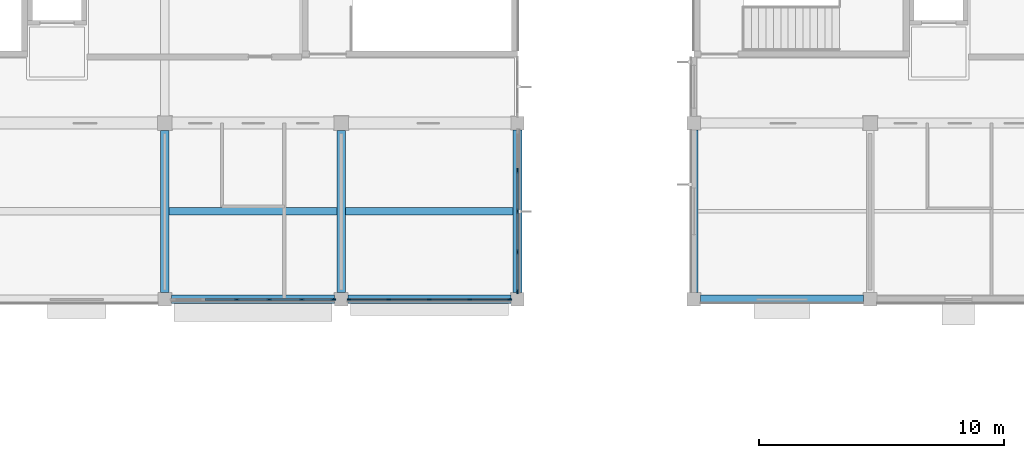
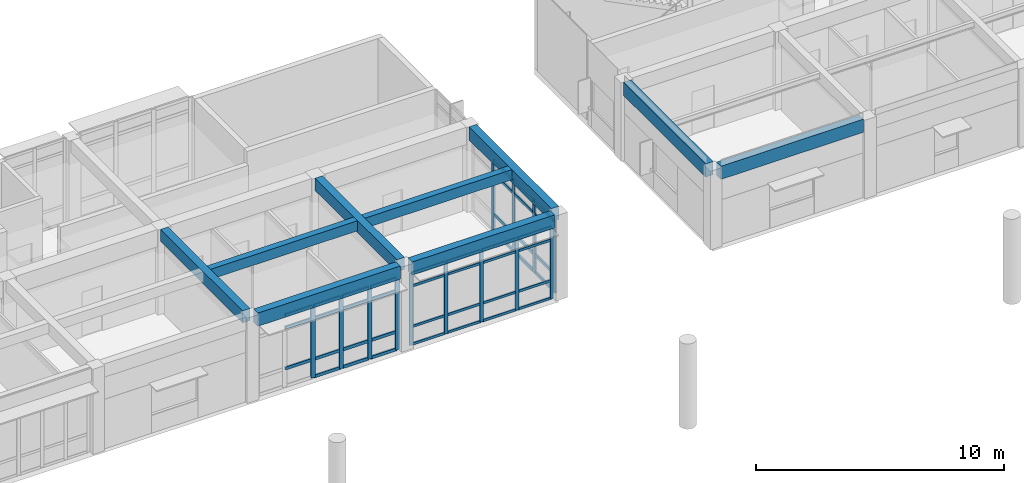
# One storey, part 4 of 41: 56 members, 9 beams, 3 elements without a shape of their own.
"""IFC4 building model written with IfcOpenShell, lengths in metres."""

from ifc_helpers import new_model, si_unit, direction, frame, origin, origin_2d, place, context, subcontext, project, spatial, rectangle, extrude, material, layer, layer_set, material_profile, profile_set, type_object, element, aggregate, save


model = new_model("IFC4")

# Units and contexts
model_context = context("Model", 3, precision=1e-05, world=origin(), true_north=direction((0.0, 1.0)))
body_context = subcontext(model_context, "Body", "Model", "MODEL_VIEW")
ifc_project = project(units=[si_unit("LENGTHUNIT", "METRE"), si_unit("AREAUNIT", "SQUARE_METRE"), si_unit("VOLUMEUNIT", "CUBIC_METRE"), si_unit("PLANEANGLEUNIT", "RADIAN"), si_unit("MASSUNIT", "GRAM", prefix="KILO")], contexts=[model_context])

# Site, building, storey
site_placement = place(None, origin())
site = spatial("IfcSite", under=ifc_project, at=site_placement, CompositionType="ELEMENT")
building_placement = place(site_placement, origin())
building = spatial("IfcBuilding", under=site, at=building_placement, Name="Namkhue Oval Health Centre", CompositionType="ELEMENT")
storey_placement = place(building_placement, frame((0.0, 0.0, 13.800048828125)))
storey = spatial("IfcBuildingStorey", under=building, at=storey_placement, Name="L03", CompositionType="ELEMENT", Elevation=13.800048828125)

# Curtain wall, members
ifc_material_1 = material(Name="Anodised aluminium EN AW-6063 T6", Category="aluminium")
ifc_layer_1 = layer(ifc_material_1, 0.159912109375)
ifc_layer_set_1 = layer_set([ifc_layer_1], Name="Anodised aluminium EN AW-6063 T6")
curtain_wall_type_1 = type_object("IfcCurtainWallType", Name="UNITISED CURTAIN WALL M1500", PredefinedType="NOTDEFINED", material=ifc_layer_set_1)
curtain_wall_1_placement = place(storey_placement, origin())
curtain_wall_1 = element("IfcCurtainWall", 1, at=curtain_wall_1_placement, inside=storey, type_object=curtain_wall_type_1, Name="Volume V4 L03 Unitised Curtain Wall 171", PredefinedType="NOTDEFINED")
ifc_material_profile_1 = material_profile(ifc_material_1, rectangle(XDim=0.06494140625, YDim=0.159912109375, at=origin_2d()), Name="ALU 65x160")
ifc_profile_set_1 = profile_set([ifc_material_profile_1], Name="Anodised aluminium EN AW-6063 T6")
member_type_1 = type_object("IfcMemberType", Name="CURTAIN WALL MULLION 65X160", PredefinedType="MULLION", material=ifc_profile_set_1)
member_1_placement = place(storey_placement, frame((79.5185546875, 14.39990234375, 0.0), z_axis=(0.0, 0.0, 1.0), x_axis=(0.0, 1.0, 0.0)))
member_1 = element("IfcMember", 2, at=member_1_placement, type_object=member_type_1, Name="CW-03 mullion 1", PredefinedType="MULLION", context=body_context, shape_type="SweptSolid", body=[
    extrude(rectangle(XDim=0.06494140625, YDim=0.159912109375, at=origin_2d()), origin(), (0.0, 0.0, 1.0), 3.550048828125),
])
member_2_placement = place(storey_placement, frame((81.14306640625, 14.39990234375, 0.0), z_axis=(0.0, 0.0, 1.0), x_axis=(0.0, 1.0, 0.0)))
member_2 = element("IfcMember", 3, at=member_2_placement, type_object=member_type_1, Name="CW-03 mullion 2", PredefinedType="MULLION", context=body_context, shape_type="SweptSolid", body=[
    extrude(rectangle(XDim=0.06494140625, YDim=0.159912109375, at=origin_2d()), origin(), (0.0, 0.0, 1.0), 3.550048828125),
])
member_3_placement = place(storey_placement, frame((82.800048828125, 14.39990234375, 0.0), z_axis=(0.0, 0.0, 1.0), x_axis=(0.0, 1.0, 0.0)))
member_3 = element("IfcMember", 4, at=member_3_placement, type_object=member_type_1, Name="CW-03 mullion 3", PredefinedType="MULLION", context=body_context, shape_type="SweptSolid", body=[
    extrude(rectangle(XDim=0.06494140625, YDim=0.159912109375, at=origin_2d()), origin(), (0.0, 0.0, 1.0), 3.550048828125),
])
member_4_placement = place(storey_placement, frame((84.45703125, 14.39990234375, 0.0), z_axis=(0.0, 0.0, 1.0), x_axis=(0.0, 1.0, 0.0)))
member_4 = element("IfcMember", 5, at=member_4_placement, type_object=member_type_1, Name="CW-03 mullion 4", PredefinedType="MULLION", context=body_context, shape_type="SweptSolid", body=[
    extrude(rectangle(XDim=0.06494140625, YDim=0.159912109375, at=origin_2d()), origin(), (0.0, 0.0, 1.0), 3.550048828125),
])
member_5_placement = place(storey_placement, frame((86.08154296875, 14.39990234375, 0.0), z_axis=(0.0, 0.0, 1.0), x_axis=(0.0, 1.0, 0.0)))
member_5 = element("IfcMember", 6, at=member_5_placement, type_object=member_type_1, Name="CW-03 mullion 5", PredefinedType="MULLION", context=body_context, shape_type="SweptSolid", body=[
    extrude(rectangle(XDim=0.06494140625, YDim=0.159912109375, at=origin_2d()), origin(), (0.0, 0.0, 1.0), 3.550048828125),
])

ifc_layer_2 = layer(ifc_material_1, 0.159912109375)
ifc_layer_set_2 = layer_set([ifc_layer_2], Name="Anodised aluminium EN AW-6063 T6")
curtain_wall_type_2 = type_object("IfcCurtainWallType", Name="UNITISED CURTAIN WALL M1350", PredefinedType="NOTDEFINED", material=ifc_layer_set_2)
curtain_wall_2_placement = place(storey_placement, origin())
curtain_wall_2 = element("IfcCurtainWall", 7, at=curtain_wall_2_placement, inside=storey, type_object=curtain_wall_type_2, Name="Volume V4 L03 Unitised Curtain Wall 170", PredefinedType="NOTDEFINED")
ifc_material_profile_2 = material_profile(ifc_material_1, rectangle(XDim=0.074951171875, YDim=0.199951171875, at=origin_2d()), Name="ALU 75x200")
ifc_profile_set_2 = profile_set([ifc_material_profile_2], Name="Anodised aluminium EN AW-6063 T6")
member_type_2 = type_object("IfcMemberType", Name="CURTAIN WALL MULLION 75X200", PredefinedType="MULLION", material=ifc_profile_set_2)
member_6_placement = place(storey_placement, frame((74.937255859375, 14.39990234375, 0.0), z_axis=(0.0, 0.0, 1.0), x_axis=(0.0, 1.0, 0.0)))
member_6 = element("IfcMember", 8, at=member_6_placement, type_object=member_type_2, Name="CW-02 mullion 3", PredefinedType="MULLION", context=body_context, shape_type="SweptSolid", body=[
    extrude(rectangle(XDim=0.074951171875, YDim=0.199951171875, at=origin_2d()), origin(), (0.0, 0.0, 1.0), 3.550048828125),
])
member_7_placement = place(storey_placement, frame((76.2626953125, 14.39990234375, 0.0), z_axis=(0.0, 0.0, 1.0), x_axis=(0.0, 1.0, 0.0)))
member_7 = element("IfcMember", 9, at=member_7_placement, type_object=member_type_2, Name="CW-02 mullion 4", PredefinedType="MULLION", context=body_context, shape_type="SweptSolid", body=[
    extrude(rectangle(XDim=0.074951171875, YDim=0.199951171875, at=origin_2d()), origin(), (0.0, 0.0, 1.0), 3.550048828125),
])
member_8_placement = place(storey_placement, frame((77.58837890625, 14.39990234375, 0.0), z_axis=(0.0, 0.0, 1.0), x_axis=(0.0, 1.0, 0.0)))
member_8 = element("IfcMember", 10, at=member_8_placement, type_object=member_type_2, Name="CW-02 mullion 5", PredefinedType="MULLION", context=body_context, shape_type="SweptSolid", body=[
    extrude(rectangle(XDim=0.074951171875, YDim=0.199951171875, at=origin_2d()), origin(), (0.0, 0.0, 1.0), 3.550048828125),
])
member_9_placement = place(storey_placement, frame((78.87646484375, 14.39990234375, 0.0), z_axis=(0.0, 0.0, 1.0), x_axis=(0.0, 1.0, 0.0)))
member_9 = element("IfcMember", 11, at=member_9_placement, type_object=member_type_2, Name="CW-02 mullion 6", PredefinedType="MULLION", context=body_context, shape_type="SweptSolid", body=[
    extrude(rectangle(XDim=0.074951171875, YDim=0.199951171875, at=origin_2d()), origin(), (0.0, 0.0, 1.0), 3.550048828125),
])

ifc_layer_3 = layer(ifc_material_1, 0.159912109375)
ifc_layer_set_3 = layer_set([ifc_layer_3], Name="Anodised aluminium EN AW-6063 T6")
curtain_wall_type_3 = type_object("IfcCurtainWallType", Name="UNITISED CURTAIN WALL M1600", PredefinedType="NOTDEFINED", material=ifc_layer_set_3)
curtain_wall_3_placement = place(storey_placement, origin())
curtain_wall_3 = element("IfcCurtainWall", 12, at=curtain_wall_3_placement, inside=storey, type_object=curtain_wall_type_3, Name="Volume V4 L03 Unitised Curtain Wall 172", PredefinedType="NOTDEFINED")
member_10_placement = place(storey_placement, frame((86.39990234375, 14.723388671875, 0.0), z_axis=(0.0, 0.0, 1.0), x_axis=(-1.0, 0.0, 0.0)))
member_10 = element("IfcMember", 13, at=member_10_placement, type_object=member_type_2, Name="CW-04 mullion 1", PredefinedType="MULLION", context=body_context, shape_type="SweptSolid", body=[
    extrude(rectangle(XDim=0.074951171875, YDim=0.199951171875, at=origin_2d()), origin(), (0.0, 0.0, 1.0), 3.550048828125),
])
member_11_placement = place(storey_placement, frame((86.39990234375, 16.343017578125, 0.0), z_axis=(0.0, 0.0, 1.0), x_axis=(-1.0, 0.0, 0.0)))
member_11 = element("IfcMember", 14, at=member_11_placement, type_object=member_type_2, Name="CW-04 mullion 2", PredefinedType="MULLION", context=body_context, shape_type="SweptSolid", body=[
    extrude(rectangle(XDim=0.074951171875, YDim=0.199951171875, at=origin_2d()), origin(), (0.0, 0.0, 1.0), 3.550048828125),
])
member_12_placement = place(storey_placement, frame((86.39990234375, 18.0, 0.0), z_axis=(0.0, 0.0, 1.0), x_axis=(-1.0, 0.0, 0.0)))
member_12 = element("IfcMember", 15, at=member_12_placement, type_object=member_type_2, Name="CW-04 mullion 3", PredefinedType="MULLION", context=body_context, shape_type="SweptSolid", body=[
    extrude(rectangle(XDim=0.074951171875, YDim=0.199951171875, at=origin_2d()), origin(), (0.0, 0.0, 1.0), 3.550048828125),
])
member_13_placement = place(storey_placement, frame((86.39990234375, 19.656982421875, 0.0), z_axis=(0.0, 0.0, 1.0), x_axis=(-1.0, 0.0, 0.0)))
member_13 = element("IfcMember", 16, at=member_13_placement, type_object=member_type_2, Name="CW-04 mullion 4", PredefinedType="MULLION", context=body_context, shape_type="SweptSolid", body=[
    extrude(rectangle(XDim=0.074951171875, YDim=0.199951171875, at=origin_2d()), origin(), (0.0, 0.0, 1.0), 3.550048828125),
])

# Member
ifc_material_profile_3 = material_profile(ifc_material_1, rectangle(XDim=0.06494140625, YDim=0.1201171875, at=origin_2d()), Name="ALU 65x120")
ifc_profile_set_3 = profile_set([ifc_material_profile_3], Name="Anodised aluminium EN AW-6063 T6")
member_type_3 = type_object("IfcMemberType", Name="CURTAIN WALL TRANSOM 65X120", PredefinedType="USERDEFINED", material=ifc_profile_set_3)
member_14_placement = place(storey_placement, frame((79.551025390625, 14.39990234375, 0.032470703125), z_axis=(1.0, 0.0, 0.0), x_axis=(0.0, 1.0, 0.0)))
member_14 = element("IfcMember", 17, at=member_14_placement, type_object=member_type_3, Name="CW-03 transom 1.1", ObjectType="TRANSOM", PredefinedType="USERDEFINED", context=body_context, shape_type="SweptSolid", body=[
    extrude(rectangle(XDim=0.06494140625, YDim=0.1201171875, at=origin_2d()), origin(), (0.0, 0.0, 1.0), 1.5595703125),
])

member_15_placement = place(storey_placement, frame((79.551025390625, 14.39990234375, 0.89990234375), z_axis=(1.0, 0.0, 0.0), x_axis=(0.0, 1.0, 0.0)))
member_15 = element("IfcMember", 18, at=member_15_placement, type_object=member_type_3, Name="CW-03 transom 1.2", ObjectType="TRANSOM", PredefinedType="USERDEFINED", context=body_context, shape_type="SweptSolid", body=[
    extrude(rectangle(XDim=0.06494140625, YDim=0.1201171875, at=origin_2d()), origin(), (0.0, 0.0, 1.0), 1.5595703125),
])

member_16_placement = place(storey_placement, frame((79.551025390625, 14.39990234375, 2.89990234375), z_axis=(1.0, 0.0, 0.0), x_axis=(0.0, 1.0, 0.0)))
member_16 = element("IfcMember", 19, at=member_16_placement, type_object=member_type_3, Name="CW-03 transom 1.3", ObjectType="TRANSOM", PredefinedType="USERDEFINED", context=body_context, shape_type="SweptSolid", body=[
    extrude(rectangle(XDim=0.06494140625, YDim=0.1201171875, at=origin_2d()), origin(), (0.0, 0.0, 1.0), 1.5595703125),
])

member_17_placement = place(storey_placement, frame((79.551025390625, 14.39990234375, 3.517333984375), z_axis=(1.0, 0.0, 0.0), x_axis=(0.0, 1.0, 0.0)))
member_17 = element("IfcMember", 20, at=member_17_placement, type_object=member_type_3, Name="CW-03 transom 1.4", ObjectType="TRANSOM", PredefinedType="USERDEFINED", context=body_context, shape_type="SweptSolid", body=[
    extrude(rectangle(XDim=0.06494140625, YDim=0.1201171875, at=origin_2d()), origin(), (0.0, 0.0, 1.0), 1.5595703125),
])

member_18_placement = place(storey_placement, frame((81.175537109375, 14.39990234375, 0.032470703125), z_axis=(1.0, 0.0, 0.0), x_axis=(0.0, 1.0, 0.0)))
member_18 = element("IfcMember", 21, at=member_18_placement, type_object=member_type_3, Name="CW-03 transom 2.1", ObjectType="TRANSOM", PredefinedType="USERDEFINED", context=body_context, shape_type="SweptSolid", body=[
    extrude(rectangle(XDim=0.06494140625, YDim=0.1201171875, at=origin_2d()), origin(), (0.0, 0.0, 1.0), 1.592041015625),
])

member_19_placement = place(storey_placement, frame((81.175537109375, 14.39990234375, 0.89990234375), z_axis=(1.0, 0.0, 0.0), x_axis=(0.0, 1.0, 0.0)))
member_19 = element("IfcMember", 22, at=member_19_placement, type_object=member_type_3, Name="CW-03 transom 2.2", ObjectType="TRANSOM", PredefinedType="USERDEFINED", context=body_context, shape_type="SweptSolid", body=[
    extrude(rectangle(XDim=0.06494140625, YDim=0.1201171875, at=origin_2d()), origin(), (0.0, 0.0, 1.0), 1.592041015625),
])

member_20_placement = place(storey_placement, frame((81.175537109375, 14.39990234375, 2.89990234375), z_axis=(1.0, 0.0, 0.0), x_axis=(0.0, 1.0, 0.0)))
member_20 = element("IfcMember", 23, at=member_20_placement, type_object=member_type_3, Name="CW-03 transom 2.3", ObjectType="TRANSOM", PredefinedType="USERDEFINED", context=body_context, shape_type="SweptSolid", body=[
    extrude(rectangle(XDim=0.06494140625, YDim=0.1201171875, at=origin_2d()), origin(), (0.0, 0.0, 1.0), 1.592041015625),
])

member_21_placement = place(storey_placement, frame((81.175537109375, 14.39990234375, 3.517333984375), z_axis=(1.0, 0.0, 0.0), x_axis=(0.0, 1.0, 0.0)))
member_21 = element("IfcMember", 24, at=member_21_placement, type_object=member_type_3, Name="CW-03 transom 2.4", ObjectType="TRANSOM", PredefinedType="USERDEFINED", context=body_context, shape_type="SweptSolid", body=[
    extrude(rectangle(XDim=0.06494140625, YDim=0.1201171875, at=origin_2d()), origin(), (0.0, 0.0, 1.0), 1.592041015625),
])

member_22_placement = place(storey_placement, frame((82.83251953125, 14.39990234375, 0.032470703125), z_axis=(1.0, 0.0, 0.0), x_axis=(0.0, 1.0, 0.0)))
member_22 = element("IfcMember", 25, at=member_22_placement, type_object=member_type_3, Name="CW-03 transom 3.1", ObjectType="TRANSOM", PredefinedType="USERDEFINED", context=body_context, shape_type="SweptSolid", body=[
    extrude(rectangle(XDim=0.06494140625, YDim=0.1201171875, at=origin_2d()), origin(), (0.0, 0.0, 1.0), 1.592041015625),
])

member_23_placement = place(storey_placement, frame((82.83251953125, 14.39990234375, 0.89990234375), z_axis=(1.0, 0.0, 0.0), x_axis=(0.0, 1.0, 0.0)))
member_23 = element("IfcMember", 26, at=member_23_placement, type_object=member_type_3, Name="CW-03 transom 3.2", ObjectType="TRANSOM", PredefinedType="USERDEFINED", context=body_context, shape_type="SweptSolid", body=[
    extrude(rectangle(XDim=0.06494140625, YDim=0.1201171875, at=origin_2d()), origin(), (0.0, 0.0, 1.0), 1.592041015625),
])

member_24_placement = place(storey_placement, frame((82.83251953125, 14.39990234375, 2.89990234375), z_axis=(1.0, 0.0, 0.0), x_axis=(0.0, 1.0, 0.0)))
member_24 = element("IfcMember", 27, at=member_24_placement, type_object=member_type_3, Name="CW-03 transom 3.3", ObjectType="TRANSOM", PredefinedType="USERDEFINED", context=body_context, shape_type="SweptSolid", body=[
    extrude(rectangle(XDim=0.06494140625, YDim=0.1201171875, at=origin_2d()), origin(), (0.0, 0.0, 1.0), 1.592041015625),
])

member_25_placement = place(storey_placement, frame((82.83251953125, 14.39990234375, 3.517333984375), z_axis=(1.0, 0.0, 0.0), x_axis=(0.0, 1.0, 0.0)))
member_25 = element("IfcMember", 28, at=member_25_placement, type_object=member_type_3, Name="CW-03 transom 3.4", ObjectType="TRANSOM", PredefinedType="USERDEFINED", context=body_context, shape_type="SweptSolid", body=[
    extrude(rectangle(XDim=0.06494140625, YDim=0.1201171875, at=origin_2d()), origin(), (0.0, 0.0, 1.0), 1.592041015625),
])

member_26_placement = place(storey_placement, frame((84.489501953125, 14.39990234375, 0.032470703125), z_axis=(1.0, 0.0, 0.0), x_axis=(0.0, 1.0, 0.0)))
member_26 = element("IfcMember", 29, at=member_26_placement, type_object=member_type_3, Name="CW-03 transom 4.1", ObjectType="TRANSOM", PredefinedType="USERDEFINED", context=body_context, shape_type="SweptSolid", body=[
    extrude(rectangle(XDim=0.06494140625, YDim=0.1201171875, at=origin_2d()), origin(), (0.0, 0.0, 1.0), 1.5595703125),
])

member_27_placement = place(storey_placement, frame((84.489501953125, 14.39990234375, 0.89990234375), z_axis=(1.0, 0.0, 0.0), x_axis=(0.0, 1.0, 0.0)))
member_27 = element("IfcMember", 30, at=member_27_placement, type_object=member_type_3, Name="CW-03 transom 4.2", ObjectType="TRANSOM", PredefinedType="USERDEFINED", context=body_context, shape_type="SweptSolid", body=[
    extrude(rectangle(XDim=0.06494140625, YDim=0.1201171875, at=origin_2d()), origin(), (0.0, 0.0, 1.0), 1.5595703125),
])

member_28_placement = place(storey_placement, frame((84.489501953125, 14.39990234375, 2.89990234375), z_axis=(1.0, 0.0, 0.0), x_axis=(0.0, 1.0, 0.0)))
member_28 = element("IfcMember", 31, at=member_28_placement, type_object=member_type_3, Name="CW-03 transom 4.3", ObjectType="TRANSOM", PredefinedType="USERDEFINED", context=body_context, shape_type="SweptSolid", body=[
    extrude(rectangle(XDim=0.06494140625, YDim=0.1201171875, at=origin_2d()), origin(), (0.0, 0.0, 1.0), 1.5595703125),
])

member_29_placement = place(storey_placement, frame((84.489501953125, 14.39990234375, 3.517333984375), z_axis=(1.0, 0.0, 0.0), x_axis=(0.0, 1.0, 0.0)))
member_29 = element("IfcMember", 32, at=member_29_placement, type_object=member_type_3, Name="CW-03 transom 4.4", ObjectType="TRANSOM", PredefinedType="USERDEFINED", context=body_context, shape_type="SweptSolid", body=[
    extrude(rectangle(XDim=0.06494140625, YDim=0.1201171875, at=origin_2d()), origin(), (0.0, 0.0, 1.0), 1.5595703125),
])

aggregate(curtain_wall_1, [member_1, member_2, member_3, member_4, member_5, member_14, member_15, member_16, member_17, member_18, member_19, member_20, member_21, member_22, member_23, member_24, member_25, member_26, member_27, member_28, member_29])

ifc_material_profile_4 = material_profile(ifc_material_1, rectangle(XDim=0.074951171875, YDim=0.14990234375, at=origin_2d()), Name="ALU 75x150")
ifc_profile_set_4 = profile_set([ifc_material_profile_4], Name="Anodised aluminium EN AW-6063 T6")
member_type_4 = type_object("IfcMemberType", Name="CURTAIN WALL TRANSOM 75X150", PredefinedType="USERDEFINED", material=ifc_profile_set_4)
member_30_placement = place(storey_placement, frame((73.649169921875, 14.39990234375, 0.89990234375), z_axis=(1.0, 0.0, 0.0), x_axis=(0.0, 1.0, 0.0)))
member_30 = element("IfcMember", 33, at=member_30_placement, type_object=member_type_4, Name="CW-02 transom 2.2", ObjectType="TRANSOM", PredefinedType="USERDEFINED", context=body_context, shape_type="SweptSolid", body=[
    extrude(rectangle(XDim=0.074951171875, YDim=0.14990234375, at=origin_2d()), origin(), (0.0, 0.0, 1.0), 1.25048828125),
])

member_31_placement = place(storey_placement, frame((73.649169921875, 14.39990234375, 2.89990234375), z_axis=(1.0, 0.0, 0.0), x_axis=(0.0, 1.0, 0.0)))
member_31 = element("IfcMember", 34, at=member_31_placement, type_object=member_type_4, Name="CW-02 transom 2.3", ObjectType="TRANSOM", PredefinedType="USERDEFINED", context=body_context, shape_type="SweptSolid", body=[
    extrude(rectangle(XDim=0.074951171875, YDim=0.14990234375, at=origin_2d()), origin(), (0.0, 0.0, 1.0), 1.25048828125),
])

member_32_placement = place(storey_placement, frame((73.649169921875, 14.39990234375, 3.512451171875), z_axis=(1.0, 0.0, 0.0), x_axis=(0.0, 1.0, 0.0)))
member_32 = element("IfcMember", 35, at=member_32_placement, type_object=member_type_4, Name="CW-02 transom 2.4", ObjectType="TRANSOM", PredefinedType="USERDEFINED", context=body_context, shape_type="SweptSolid", body=[
    extrude(rectangle(XDim=0.074951171875, YDim=0.14990234375, at=origin_2d()), origin(), (0.0, 0.0, 1.0), 1.25048828125),
])

member_33_placement = place(storey_placement, frame((74.974609375, 14.39990234375, 0.037353515625), z_axis=(1.0, 0.0, 0.0), x_axis=(0.0, 1.0, 0.0)))
member_33 = element("IfcMember", 36, at=member_33_placement, type_object=member_type_4, Name="CW-02 transom 3.1", ObjectType="TRANSOM", PredefinedType="USERDEFINED", context=body_context, shape_type="SweptSolid", body=[
    extrude(rectangle(XDim=0.074951171875, YDim=0.14990234375, at=origin_2d()), origin(), (0.0, 0.0, 1.0), 1.250732421875),
])

member_34_placement = place(storey_placement, frame((74.974609375, 14.39990234375, 0.89990234375), z_axis=(1.0, 0.0, 0.0), x_axis=(0.0, 1.0, 0.0)))
member_34 = element("IfcMember", 37, at=member_34_placement, type_object=member_type_4, Name="CW-02 transom 3.2", ObjectType="TRANSOM", PredefinedType="USERDEFINED", context=body_context, shape_type="SweptSolid", body=[
    extrude(rectangle(XDim=0.074951171875, YDim=0.14990234375, at=origin_2d()), origin(), (0.0, 0.0, 1.0), 1.250732421875),
])

member_35_placement = place(storey_placement, frame((74.974609375, 14.39990234375, 2.89990234375), z_axis=(1.0, 0.0, 0.0), x_axis=(0.0, 1.0, 0.0)))
member_35 = element("IfcMember", 38, at=member_35_placement, type_object=member_type_4, Name="CW-02 transom 3.3", ObjectType="TRANSOM", PredefinedType="USERDEFINED", context=body_context, shape_type="SweptSolid", body=[
    extrude(rectangle(XDim=0.074951171875, YDim=0.14990234375, at=origin_2d()), origin(), (0.0, 0.0, 1.0), 1.250732421875),
])

member_36_placement = place(storey_placement, frame((74.974609375, 14.39990234375, 3.512451171875), z_axis=(1.0, 0.0, 0.0), x_axis=(0.0, 1.0, 0.0)))
member_36 = element("IfcMember", 39, at=member_36_placement, type_object=member_type_4, Name="CW-02 transom 3.4", ObjectType="TRANSOM", PredefinedType="USERDEFINED", context=body_context, shape_type="SweptSolid", body=[
    extrude(rectangle(XDim=0.074951171875, YDim=0.14990234375, at=origin_2d()), origin(), (0.0, 0.0, 1.0), 1.250732421875),
])

member_37_placement = place(storey_placement, frame((76.30029296875, 14.39990234375, 0.037353515625), z_axis=(1.0, 0.0, 0.0), x_axis=(0.0, 1.0, 0.0)))
member_37 = element("IfcMember", 40, at=member_37_placement, type_object=member_type_4, Name="CW-02 transom 4.1", ObjectType="TRANSOM", PredefinedType="USERDEFINED", context=body_context, shape_type="SweptSolid", body=[
    extrude(rectangle(XDim=0.074951171875, YDim=0.14990234375, at=origin_2d()), origin(), (0.0, 0.0, 1.0), 1.25048828125),
])

member_38_placement = place(storey_placement, frame((76.30029296875, 14.39990234375, 0.89990234375), z_axis=(1.0, 0.0, 0.0), x_axis=(0.0, 1.0, 0.0)))
member_38 = element("IfcMember", 41, at=member_38_placement, type_object=member_type_4, Name="CW-02 transom 4.2", ObjectType="TRANSOM", PredefinedType="USERDEFINED", context=body_context, shape_type="SweptSolid", body=[
    extrude(rectangle(XDim=0.074951171875, YDim=0.14990234375, at=origin_2d()), origin(), (0.0, 0.0, 1.0), 1.25048828125),
])

member_39_placement = place(storey_placement, frame((76.30029296875, 14.39990234375, 2.89990234375), z_axis=(1.0, 0.0, 0.0), x_axis=(0.0, 1.0, 0.0)))
member_39 = element("IfcMember", 42, at=member_39_placement, type_object=member_type_4, Name="CW-02 transom 4.3", ObjectType="TRANSOM", PredefinedType="USERDEFINED", context=body_context, shape_type="SweptSolid", body=[
    extrude(rectangle(XDim=0.074951171875, YDim=0.14990234375, at=origin_2d()), origin(), (0.0, 0.0, 1.0), 1.25048828125),
])

member_40_placement = place(storey_placement, frame((76.30029296875, 14.39990234375, 3.512451171875), z_axis=(1.0, 0.0, 0.0), x_axis=(0.0, 1.0, 0.0)))
member_40 = element("IfcMember", 43, at=member_40_placement, type_object=member_type_4, Name="CW-02 transom 4.4", ObjectType="TRANSOM", PredefinedType="USERDEFINED", context=body_context, shape_type="SweptSolid", body=[
    extrude(rectangle(XDim=0.074951171875, YDim=0.14990234375, at=origin_2d()), origin(), (0.0, 0.0, 1.0), 1.25048828125),
])

member_41_placement = place(storey_placement, frame((77.6259765625, 14.39990234375, 0.037353515625), z_axis=(1.0, 0.0, 0.0), x_axis=(0.0, 1.0, 0.0)))
member_41 = element("IfcMember", 44, at=member_41_placement, type_object=member_type_4, Name="CW-02 transom 5.1", ObjectType="TRANSOM", PredefinedType="USERDEFINED", context=body_context, shape_type="SweptSolid", body=[
    extrude(rectangle(XDim=0.074951171875, YDim=0.14990234375, at=origin_2d()), origin(), (0.0, 0.0, 1.0), 1.213134765625),
])

member_42_placement = place(storey_placement, frame((77.6259765625, 14.39990234375, 0.89990234375), z_axis=(1.0, 0.0, 0.0), x_axis=(0.0, 1.0, 0.0)))
member_42 = element("IfcMember", 45, at=member_42_placement, type_object=member_type_4, Name="CW-02 transom 5.2", ObjectType="TRANSOM", PredefinedType="USERDEFINED", context=body_context, shape_type="SweptSolid", body=[
    extrude(rectangle(XDim=0.074951171875, YDim=0.14990234375, at=origin_2d()), origin(), (0.0, 0.0, 1.0), 1.213134765625),
])

member_43_placement = place(storey_placement, frame((77.6259765625, 14.39990234375, 2.89990234375), z_axis=(1.0, 0.0, 0.0), x_axis=(0.0, 1.0, 0.0)))
member_43 = element("IfcMember", 46, at=member_43_placement, type_object=member_type_4, Name="CW-02 transom 5.3", ObjectType="TRANSOM", PredefinedType="USERDEFINED", context=body_context, shape_type="SweptSolid", body=[
    extrude(rectangle(XDim=0.074951171875, YDim=0.14990234375, at=origin_2d()), origin(), (0.0, 0.0, 1.0), 1.213134765625),
])

member_44_placement = place(storey_placement, frame((77.6259765625, 14.39990234375, 3.512451171875), z_axis=(1.0, 0.0, 0.0), x_axis=(0.0, 1.0, 0.0)))
member_44 = element("IfcMember", 47, at=member_44_placement, type_object=member_type_4, Name="CW-02 transom 5.4", ObjectType="TRANSOM", PredefinedType="USERDEFINED", context=body_context, shape_type="SweptSolid", body=[
    extrude(rectangle(XDim=0.074951171875, YDim=0.14990234375, at=origin_2d()), origin(), (0.0, 0.0, 1.0), 1.213134765625),
])

aggregate(curtain_wall_2, [member_6, member_7, member_8, member_9, member_30, member_31, member_32, member_33, member_34, member_35, member_36, member_37, member_38, member_39, member_40, member_41, member_42, member_43, member_44])

member_45_placement = place(storey_placement, frame((86.39990234375, 14.760986328125, 0.037353515625), z_axis=(0.0, 1.0, 0.0), x_axis=(-1.0, 0.0, 0.0)))
member_45 = element("IfcMember", 48, at=member_45_placement, type_object=member_type_4, Name="CW-04 transom 1.1", ObjectType="TRANSOM", PredefinedType="USERDEFINED", context=body_context, shape_type="SweptSolid", body=[
    extrude(rectangle(XDim=0.074951171875, YDim=0.14990234375, at=origin_2d()), origin(), (0.0, 0.0, 1.0), 1.54443359375),
])

member_46_placement = place(storey_placement, frame((86.39990234375, 14.760986328125, 0.89990234375), z_axis=(0.0, 1.0, 0.0), x_axis=(-1.0, 0.0, 0.0)))
member_46 = element("IfcMember", 49, at=member_46_placement, type_object=member_type_4, Name="CW-04 transom 1.2", ObjectType="TRANSOM", PredefinedType="USERDEFINED", context=body_context, shape_type="SweptSolid", body=[
    extrude(rectangle(XDim=0.074951171875, YDim=0.14990234375, at=origin_2d()), origin(), (0.0, 0.0, 1.0), 1.54443359375),
])

member_47_placement = place(storey_placement, frame((86.39990234375, 14.760986328125, 2.89990234375), z_axis=(0.0, 1.0, 0.0), x_axis=(-1.0, 0.0, 0.0)))
member_47 = element("IfcMember", 50, at=member_47_placement, type_object=member_type_4, Name="CW-04 transom 1.3", ObjectType="TRANSOM", PredefinedType="USERDEFINED", context=body_context, shape_type="SweptSolid", body=[
    extrude(rectangle(XDim=0.074951171875, YDim=0.14990234375, at=origin_2d()), origin(), (0.0, 0.0, 1.0), 1.54443359375),
])

member_48_placement = place(storey_placement, frame((86.39990234375, 14.760986328125, 3.512451171875), z_axis=(0.0, 1.0, 0.0), x_axis=(-1.0, 0.0, 0.0)))
member_48 = element("IfcMember", 51, at=member_48_placement, type_object=member_type_4, Name="CW-04 transom 1.4", ObjectType="TRANSOM", PredefinedType="USERDEFINED", context=body_context, shape_type="SweptSolid", body=[
    extrude(rectangle(XDim=0.074951171875, YDim=0.14990234375, at=origin_2d()), origin(), (0.0, 0.0, 1.0), 1.54443359375),
])

member_49_placement = place(storey_placement, frame((86.39990234375, 16.380615234375, 0.037353515625), z_axis=(0.0, 1.0, 0.0), x_axis=(-1.0, 0.0, 0.0)))
member_49 = element("IfcMember", 52, at=member_49_placement, type_object=member_type_4, Name="CW-04 transom 2.1", ObjectType="TRANSOM", PredefinedType="USERDEFINED", context=body_context, shape_type="SweptSolid", body=[
    extrude(rectangle(XDim=0.074951171875, YDim=0.14990234375, at=origin_2d()), origin(), (0.0, 0.0, 1.0), 1.581787109375),
])

member_50_placement = place(storey_placement, frame((86.39990234375, 16.380615234375, 0.89990234375), z_axis=(0.0, 1.0, 0.0), x_axis=(-1.0, 0.0, 0.0)))
member_50 = element("IfcMember", 53, at=member_50_placement, type_object=member_type_4, Name="CW-04 transom 2.2", ObjectType="TRANSOM", PredefinedType="USERDEFINED", context=body_context, shape_type="SweptSolid", body=[
    extrude(rectangle(XDim=0.074951171875, YDim=0.14990234375, at=origin_2d()), origin(), (0.0, 0.0, 1.0), 1.581787109375),
])

member_51_placement = place(storey_placement, frame((86.39990234375, 16.380615234375, 2.89990234375), z_axis=(0.0, 1.0, 0.0), x_axis=(-1.0, 0.0, 0.0)))
member_51 = element("IfcMember", 54, at=member_51_placement, type_object=member_type_4, Name="CW-04 transom 2.3", ObjectType="TRANSOM", PredefinedType="USERDEFINED", context=body_context, shape_type="SweptSolid", body=[
    extrude(rectangle(XDim=0.074951171875, YDim=0.14990234375, at=origin_2d()), origin(), (0.0, 0.0, 1.0), 1.581787109375),
])

member_52_placement = place(storey_placement, frame((86.39990234375, 16.380615234375, 3.512451171875), z_axis=(0.0, 1.0, 0.0), x_axis=(-1.0, 0.0, 0.0)))
member_52 = element("IfcMember", 55, at=member_52_placement, type_object=member_type_4, Name="CW-04 transom 2.4", ObjectType="TRANSOM", PredefinedType="USERDEFINED", context=body_context, shape_type="SweptSolid", body=[
    extrude(rectangle(XDim=0.074951171875, YDim=0.14990234375, at=origin_2d()), origin(), (0.0, 0.0, 1.0), 1.581787109375),
])

member_53_placement = place(storey_placement, frame((86.39990234375, 18.03759765625, 0.037353515625), z_axis=(0.0, 1.0, 0.0), x_axis=(-1.0, 0.0, 0.0)))
member_53 = element("IfcMember", 56, at=member_53_placement, type_object=member_type_4, Name="CW-04 transom 3.1", ObjectType="TRANSOM", PredefinedType="USERDEFINED", context=body_context, shape_type="SweptSolid", body=[
    extrude(rectangle(XDim=0.074951171875, YDim=0.14990234375, at=origin_2d()), origin(), (0.0, 0.0, 1.0), 1.581787109375),
])

member_54_placement = place(storey_placement, frame((86.39990234375, 18.03759765625, 0.89990234375), z_axis=(0.0, 1.0, 0.0), x_axis=(-1.0, 0.0, 0.0)))
member_54 = element("IfcMember", 57, at=member_54_placement, type_object=member_type_4, Name="CW-04 transom 3.2", ObjectType="TRANSOM", PredefinedType="USERDEFINED", context=body_context, shape_type="SweptSolid", body=[
    extrude(rectangle(XDim=0.074951171875, YDim=0.14990234375, at=origin_2d()), origin(), (0.0, 0.0, 1.0), 1.581787109375),
])

member_55_placement = place(storey_placement, frame((86.39990234375, 18.03759765625, 2.89990234375), z_axis=(0.0, 1.0, 0.0), x_axis=(-1.0, 0.0, 0.0)))
member_55 = element("IfcMember", 58, at=member_55_placement, type_object=member_type_4, Name="CW-04 transom 3.3", ObjectType="TRANSOM", PredefinedType="USERDEFINED", context=body_context, shape_type="SweptSolid", body=[
    extrude(rectangle(XDim=0.074951171875, YDim=0.14990234375, at=origin_2d()), origin(), (0.0, 0.0, 1.0), 1.581787109375),
])

member_56_placement = place(storey_placement, frame((86.39990234375, 18.03759765625, 3.512451171875), z_axis=(0.0, 1.0, 0.0), x_axis=(-1.0, 0.0, 0.0)))
member_56 = element("IfcMember", 59, at=member_56_placement, type_object=member_type_4, Name="CW-04 transom 3.4", ObjectType="TRANSOM", PredefinedType="USERDEFINED", context=body_context, shape_type="SweptSolid", body=[
    extrude(rectangle(XDim=0.074951171875, YDim=0.14990234375, at=origin_2d()), origin(), (0.0, 0.0, 1.0), 1.581787109375),
])

aggregate(curtain_wall_3, [member_10, member_11, member_12, member_13, member_45, member_46, member_47, member_48, member_49, member_50, member_51, member_52, member_53, member_54, member_55, member_56])

# Beams
ifc_material_2 = material(Name="Reinforced concrete C30/37 (TCVN B35)", Category="concrete")
ifc_material_profile_5 = material_profile(ifc_material_2, rectangle(XDim=0.35009765625, YDim=0.60009765625, at=origin_2d()), Name="RC 350x600")
ifc_profile_set_5 = profile_set([ifc_material_profile_5], Name="Reinforced concrete C30/37 (TCVN B35)")
beam_type_1 = type_object("IfcBeamType", Name="FLOOR BEAM RC 350X600", PredefinedType="BEAM", material=ifc_profile_set_5)
for number, where, z_axis, x_axis, name in (
    (60, (72.0, 14.675048828125, 3.89990234375), (0.0, 1.0, 0.0), (-1.0, 0.0, 0.0), "Volume V4 L04 Beam 11/C-D"),
    (61, (79.199951171875, 14.675048828125, 3.89990234375), (0.0, 1.0, 0.0), (-1.0, 0.0, 0.0), "Volume V4 L04 Beam 12/C-D"),
):
    element("IfcBeam", number, at=place(storey_placement, frame(where, z_axis=z_axis, x_axis=x_axis)), inside=storey, type_object=beam_type_1, Name=name, PredefinedType="BEAM", context=body_context, shape_type="SweptSolid", body=[
        extrude(rectangle(XDim=0.35009765625, YDim=0.60009765625, at=origin_2d()), origin(), (0.0, 0.0, 1.0), 6.625),
    ])
ifc_material_3 = material(Name="Reinforced concrete C35/45 (TCVN B40)", Category="concrete")
ifc_material_profile_6 = material_profile(ifc_material_3, rectangle(XDim=0.35009765625, YDim=0.64990234375, at=origin_2d()), Name="RC 350x650")
ifc_profile_set_6 = profile_set([ifc_material_profile_6], Name="Reinforced concrete C35/45 (TCVN B40)")
beam_type_2 = type_object("IfcBeamType", Name="PERIMETER SPANDREL BEAM 350X650", PredefinedType="SPANDREL", material=ifc_profile_set_6)
beam_1_placement = place(storey_placement, frame((72.27490234375, 14.39990234375, 3.875), z_axis=(1.0, 0.0, 0.0), x_axis=(0.0, 1.0, 0.0)))
element("IfcBeam", 62, at=beam_1_placement, inside=storey, type_object=beam_type_2, Name="Volume V4 L04 Girder C/11-12", PredefinedType="SPANDREL", context=body_context, shape_type="SweptSolid", body=[
    extrude(rectangle(XDim=0.35009765625, YDim=0.64990234375, at=origin_2d()), origin(), (0.0, 0.0, 1.0), 6.650146484375),
])
for number, where, z_axis, x_axis, name in (
    (63, (79.47509765625, 14.39990234375, 3.875), (1.0, 0.0, 0.0), (0.0, 1.0, 0.0), "Volume V4 L04 Girder C/12-13"),
    (64, (86.39990234375, 14.675048828125, 3.875), (0.0, 1.0, 0.0), (-1.0, 0.0, 0.0), "Volume V4 L04 Beam 13/C-D"),
    (65, (93.875, 14.39990234375, 3.554931640625), (1.0, 0.0, 0.0), (0.0, 1.0, 0.0), "Volume V5 L04 Girder C/14-15"),
    (66, (93.60009765625, 14.675048828125, 3.554931640625), (0.0, 1.0, 0.0), (-1.0, 0.0, 0.0), "Volume V5 L04 Beam 14/C-D"),
):
    element("IfcBeam", number, at=place(storey_placement, frame(where, z_axis=z_axis, x_axis=x_axis)), inside=storey, type_object=beam_type_2, Name=name, PredefinedType="SPANDREL", context=body_context, shape_type="SweptSolid", body=[
        extrude(rectangle(XDim=0.35009765625, YDim=0.64990234375, at=origin_2d()), origin(), (0.0, 0.0, 1.0), 6.64990234375),
    ])
ifc_material_profile_7 = material_profile(ifc_material_2, rectangle(XDim=0.300048828125, YDim=0.5, at=origin_2d()), Name="RC 300x500")
ifc_profile_set_7 = profile_set([ifc_material_profile_7], Name="Reinforced concrete C30/37 (TCVN B35)")
beam_type_3 = type_object("IfcBeamType", Name="SECONDARY JOIST RC 300X500", PredefinedType="JOIST", material=ifc_profile_set_7)
beam_2_placement = place(storey_placement, frame((72.175048828125, 18.0, 3.949951171875), z_axis=(1.0, 0.0, 0.0), x_axis=(0.0, 1.0, 0.0)))
element("IfcBeam", 67, at=beam_2_placement, inside=storey, type_object=beam_type_3, Name="Volume V4 L04 Secondary Joist 11-12", PredefinedType="JOIST", context=body_context, shape_type="SweptSolid", body=[
    extrude(rectangle(XDim=0.300048828125, YDim=0.5, at=origin_2d()), origin(), (0.0, 0.0, 1.0), 6.849853515625),
])
beam_3_placement = place(storey_placement, frame((79.375, 18.0, 3.949951171875), z_axis=(1.0, 0.0, 0.0), x_axis=(0.0, 1.0, 0.0)))
element("IfcBeam", 68, at=beam_3_placement, inside=storey, type_object=beam_type_3, Name="Volume V4 L04 Secondary Joist 12-13", PredefinedType="JOIST", context=body_context, shape_type="SweptSolid", body=[
    extrude(rectangle(XDim=0.300048828125, YDim=0.5, at=origin_2d()), origin(), (0.0, 0.0, 1.0), 6.85009765625),
])

save(model, "model.ifc")
